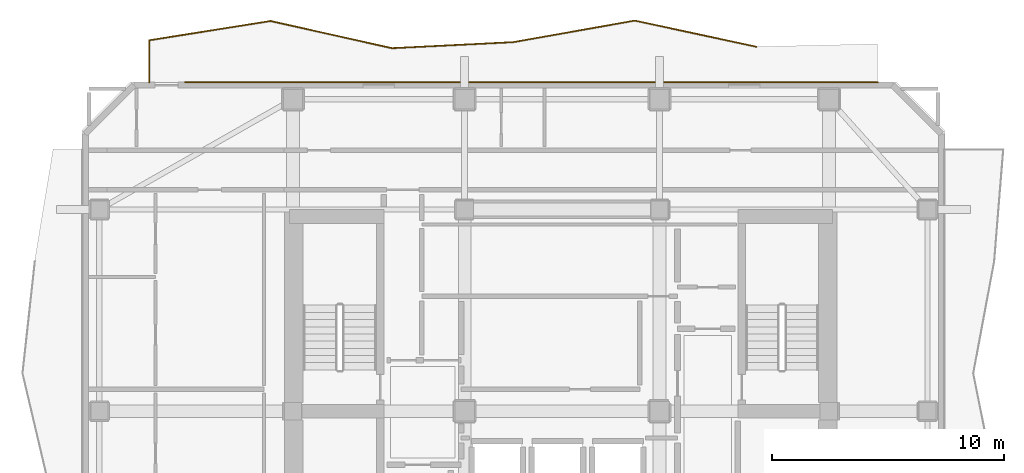
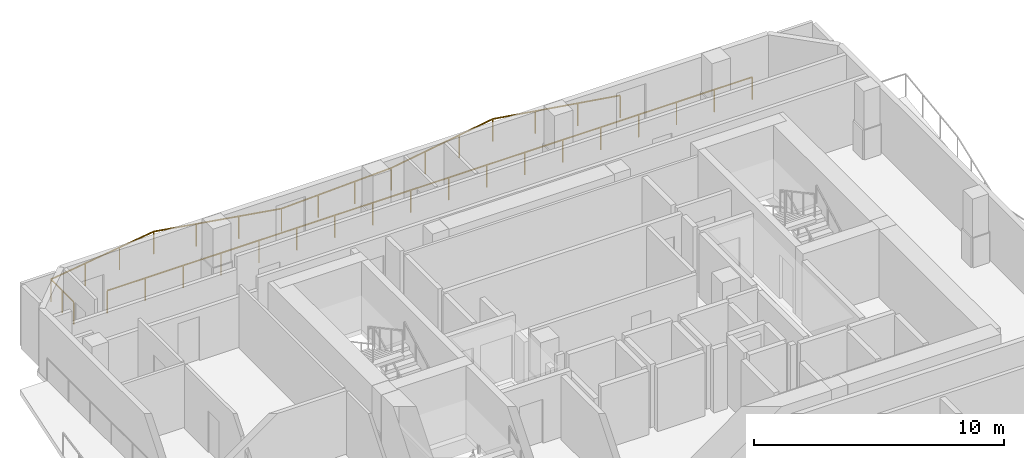
# One storey, part 10 of 10: 2 railings.
"""IFC4 building model written with IfcOpenShell, lengths in metres."""

from ifc_helpers import new_model, si_unit, direction, frame, origin, origin_2d, place, context, subcontext, project, spatial, rectangle, extrude, material, type_object, element, save


model = new_model("IFC4")

# Units and contexts
model_context = context("Model", 3, precision=1e-05, world=origin(), true_north=direction((0.0, 1.0)))
body_context = subcontext(model_context, "Body", "Model", "MODEL_VIEW")
ifc_project = project(units=[si_unit("LENGTHUNIT", "METRE"), si_unit("AREAUNIT", "SQUARE_METRE"), si_unit("VOLUMEUNIT", "CUBIC_METRE"), si_unit("PLANEANGLEUNIT", "RADIAN"), si_unit("MASSUNIT", "GRAM", prefix="KILO")], contexts=[model_context])

# Site, building, storey
site_placement = place(None, origin())
site = spatial("IfcSite", under=ifc_project, at=site_placement, CompositionType="ELEMENT")
building_placement = place(site_placement, origin())
building = spatial("IfcBuilding", under=site, at=building_placement, Name="Solanera Arch Residences", CompositionType="ELEMENT")
storey_placement = place(building_placement, frame((0.0, 0.0, 193.47998046875)))
storey = spatial("IfcBuildingStorey", under=building, at=storey_placement, Name="L56", CompositionType="ELEMENT", Elevation=193.47998046875)

# Railings
ifc_material = material(Name="Steel S355 (ASTM A992 / A572 Grade 50)", Category="steel")
railing_type = type_object("IfcRailingType", Name="Balustrade Railing BL-1100", PredefinedType="BALUSTRADE", material=ifc_material)
railing_1_placement = place(storey_placement, frame((33.366943359375, 46.4150390625, 0.0)))
element("IfcRailing", 1, at=railing_1_placement, inside=storey, type_object=railing_type, Name="L56 N Balcony Balustrade 1", PredefinedType="BALUSTRADE", context=body_context, shape_type="SweptSolid", body=[
    extrude(rectangle(XDim=0.048095703125, YDim=0.048095703125, at=origin_2d()), frame((0.0, 0.0, 1.09619140625), z_axis=(-0.977632585199, 0.21032006171, 0.0), x_axis=(-0.21032006171, -0.977632585199, 0.0)), (0.0, 0.0, 1.0), 5.353515625),
    extrude(rectangle(XDim=0.048095703125, YDim=0.048095703125, at=origin_2d()), frame((-5.23388671875, 1.1259765625, 1.09619140625), z_axis=(-0.984607332565, -0.174781007717, 0.0), x_axis=(0.174781007717, -0.984607332565, 0.0)), (0.0, 0.0, 1.0), 5.31494140625),
    extrude(rectangle(XDim=0.048095703125, YDim=0.048095703125, at=origin_2d()), frame((-10.467041015625, 0.197021484375, 1.09619140625), z_axis=(-0.998758605891, -0.049812118583, 0.0), x_axis=(0.049812118583, -0.998758605891, 0.0)), (0.0, 0.0, 1.0), 5.239501953125),
    extrude(rectangle(XDim=0.048095703125, YDim=0.048095703125, at=origin_2d()), frame((-15.699951171875, -0.06396484375, 1.09619140625), z_axis=(-0.97583879487, 0.218491753679, 0.0), x_axis=(-0.218491753679, -0.97583879487, 0.0)), (0.0, 0.0, 1.0), 5.363525390625),
    extrude(rectangle(XDim=0.048095703125, YDim=0.048095703125, at=origin_2d()), frame((-20.933837890625, 1.10791015625, 1.09619140625), z_axis=(-0.98762397582, -0.156840308546, 0.0), x_axis=(0.156840308546, -0.98762397582, 0.0)), (0.0, 0.0, 1.0), 5.298828125),
    extrude(rectangle(XDim=0.048095703125, YDim=0.048095703125, at=origin_2d()), frame((-26.1669921875, 0.27685546875, 1.09619140625), z_axis=(0.0, -1.0, 0.0), x_axis=(1.0, 0.0, 0.0)), (0.0, 0.0, 1.0), 1.81201171875),
    extrude(rectangle(XDim=0.0419921875, YDim=0.0419921875, at=origin_2d()), origin(), (0.0, 0.0, 1.0), 1.072021484375),
    extrude(rectangle(XDim=0.0419921875, YDim=0.0419921875, at=origin_2d()), frame((-1.74462890625, 0.375244140625, 0.0)), (0.0, 0.0, 1.0), 1.072021484375),
    extrude(rectangle(XDim=0.0419921875, YDim=0.0419921875, at=origin_2d()), frame((-3.4892578125, 0.750732421875, 0.0)), (0.0, 0.0, 1.0), 1.072021484375),
    extrude(rectangle(XDim=0.0419921875, YDim=0.0419921875, at=origin_2d()), frame((-5.23388671875, 1.1259765625, 0.0)), (0.0, 0.0, 1.0), 1.072021484375),
    extrude(rectangle(XDim=0.0419921875, YDim=0.0419921875, at=origin_2d()), frame((-6.978271484375, 0.81640625, 0.0)), (0.0, 0.0, 1.0), 1.072021484375),
    extrude(rectangle(XDim=0.0419921875, YDim=0.0419921875, at=origin_2d()), frame((-8.72265625, 0.506591796875, 0.0)), (0.0, 0.0, 1.0), 1.072021484375),
    extrude(rectangle(XDim=0.0419921875, YDim=0.0419921875, at=origin_2d()), frame((-10.467041015625, 0.197021484375, 0.0)), (0.0, 0.0, 1.0), 1.072021484375),
    extrude(rectangle(XDim=0.0419921875, YDim=0.0419921875, at=origin_2d()), frame((-12.21142578125, 0.110107421875, 0.0)), (0.0, 0.0, 1.0), 1.072021484375),
    extrude(rectangle(XDim=0.0419921875, YDim=0.0419921875, at=origin_2d()), frame((-13.95556640625, 0.02294921875, 0.0)), (0.0, 0.0, 1.0), 1.072021484375),
    extrude(rectangle(XDim=0.0419921875, YDim=0.0419921875, at=origin_2d()), frame((-15.699951171875, -0.06396484375, 0.0)), (0.0, 0.0, 1.0), 1.072021484375),
    extrude(rectangle(XDim=0.0419921875, YDim=0.0419921875, at=origin_2d()), frame((-17.444580078125, 0.32666015625, 0.0)), (0.0, 0.0, 1.0), 1.072021484375),
    extrude(rectangle(XDim=0.0419921875, YDim=0.0419921875, at=origin_2d()), frame((-19.189208984375, 0.71728515625, 0.0)), (0.0, 0.0, 1.0), 1.072021484375),
    extrude(rectangle(XDim=0.0419921875, YDim=0.0419921875, at=origin_2d()), frame((-20.933837890625, 1.10791015625, 0.0)), (0.0, 0.0, 1.0), 1.072021484375),
    extrude(rectangle(XDim=0.0419921875, YDim=0.0419921875, at=origin_2d()), frame((-22.67822265625, 0.830810546875, 0.0)), (0.0, 0.0, 1.0), 1.072021484375),
    extrude(rectangle(XDim=0.0419921875, YDim=0.0419921875, at=origin_2d()), frame((-24.422607421875, 0.553955078125, 0.0)), (0.0, 0.0, 1.0), 1.072021484375),
    extrude(rectangle(XDim=0.0419921875, YDim=0.0419921875, at=origin_2d()), frame((-26.1669921875, 0.27685546875, 0.0)), (0.0, 0.0, 1.0), 1.072021484375),
    extrude(rectangle(XDim=0.0419921875, YDim=0.0419921875, at=origin_2d()), frame((-26.1669921875, -0.629150390625, 0.0)), (0.0, 0.0, 1.0), 1.072021484375),
    extrude(rectangle(XDim=0.0419921875, YDim=0.0419921875, at=origin_2d()), frame((-26.1669921875, -1.53515625, 0.0)), (0.0, 0.0, 1.0), 1.072021484375),
])
railing_2_placement = place(storey_placement, frame((8.751953125, 44.8798828125, 0.0)))
element("IfcRailing", 2, at=railing_2_placement, inside=storey, type_object=railing_type, Name="L56 N Balcony Balustrade 2", PredefinedType="BALUSTRADE", context=body_context, shape_type="SweptSolid", body=[
    extrude(rectangle(XDim=0.048095703125, YDim=0.048095703125, at=origin_2d()), frame((0.0, 0.0, 1.09619140625), z_axis=(1.0, 0.0, 0.0), x_axis=(0.0, 1.0, 0.0)), (0.0, 0.0, 1.0), 29.84814453125),
    extrude(rectangle(XDim=0.0419921875, YDim=0.0419921875, at=origin_2d()), origin(), (0.0, 0.0, 1.0), 1.072021484375),
    extrude(rectangle(XDim=0.0419921875, YDim=0.0419921875, at=origin_2d()), frame((1.755859375, 0.0, 0.0)), (0.0, 0.0, 1.0), 1.072021484375),
    extrude(rectangle(XDim=0.0419921875, YDim=0.0419921875, at=origin_2d()), frame((3.511474609375, 0.0, 0.0)), (0.0, 0.0, 1.0), 1.072021484375),
    extrude(rectangle(XDim=0.0419921875, YDim=0.0419921875, at=origin_2d()), frame((5.267333984375, 0.0, 0.0)), (0.0, 0.0, 1.0), 1.072021484375),
    extrude(rectangle(XDim=0.0419921875, YDim=0.0419921875, at=origin_2d()), frame((7.023193359375, 0.0, 0.0)), (0.0, 0.0, 1.0), 1.072021484375),
    extrude(rectangle(XDim=0.0419921875, YDim=0.0419921875, at=origin_2d()), frame((8.77880859375, 0.0, 0.0)), (0.0, 0.0, 1.0), 1.072021484375),
    extrude(rectangle(XDim=0.0419921875, YDim=0.0419921875, at=origin_2d()), frame((10.53466796875, 0.0, 0.0)), (0.0, 0.0, 1.0), 1.072021484375),
    extrude(rectangle(XDim=0.0419921875, YDim=0.0419921875, at=origin_2d()), frame((12.29052734375, 0.0, 0.0)), (0.0, 0.0, 1.0), 1.072021484375),
    extrude(rectangle(XDim=0.0419921875, YDim=0.0419921875, at=origin_2d()), frame((14.046142578125, 0.0, 0.0)), (0.0, 0.0, 1.0), 1.072021484375),
    extrude(rectangle(XDim=0.0419921875, YDim=0.0419921875, at=origin_2d()), frame((15.802001953125, 0.0, 0.0)), (0.0, 0.0, 1.0), 1.072021484375),
    extrude(rectangle(XDim=0.0419921875, YDim=0.0419921875, at=origin_2d()), frame((17.5576171875, 0.0, 0.0)), (0.0, 0.0, 1.0), 1.072021484375),
    extrude(rectangle(XDim=0.0419921875, YDim=0.0419921875, at=origin_2d()), frame((19.3134765625, 0.0, 0.0)), (0.0, 0.0, 1.0), 1.072021484375),
    extrude(rectangle(XDim=0.0419921875, YDim=0.0419921875, at=origin_2d()), frame((21.0693359375, 0.0, 0.0)), (0.0, 0.0, 1.0), 1.072021484375),
    extrude(rectangle(XDim=0.0419921875, YDim=0.0419921875, at=origin_2d()), frame((22.824951171875, 0.0, 0.0)), (0.0, 0.0, 1.0), 1.072021484375),
    extrude(rectangle(XDim=0.0419921875, YDim=0.0419921875, at=origin_2d()), frame((24.580810546875, 0.0, 0.0)), (0.0, 0.0, 1.0), 1.072021484375),
    extrude(rectangle(XDim=0.0419921875, YDim=0.0419921875, at=origin_2d()), frame((26.336669921875, 0.0, 0.0)), (0.0, 0.0, 1.0), 1.072021484375),
    extrude(rectangle(XDim=0.0419921875, YDim=0.0419921875, at=origin_2d()), frame((28.09228515625, 0.0, 0.0)), (0.0, 0.0, 1.0), 1.072021484375),
    extrude(rectangle(XDim=0.0419921875, YDim=0.0419921875, at=origin_2d()), frame((29.84814453125, 0.0, 0.0)), (0.0, 0.0, 1.0), 1.072021484375),
])

save(model, "model.ifc")
